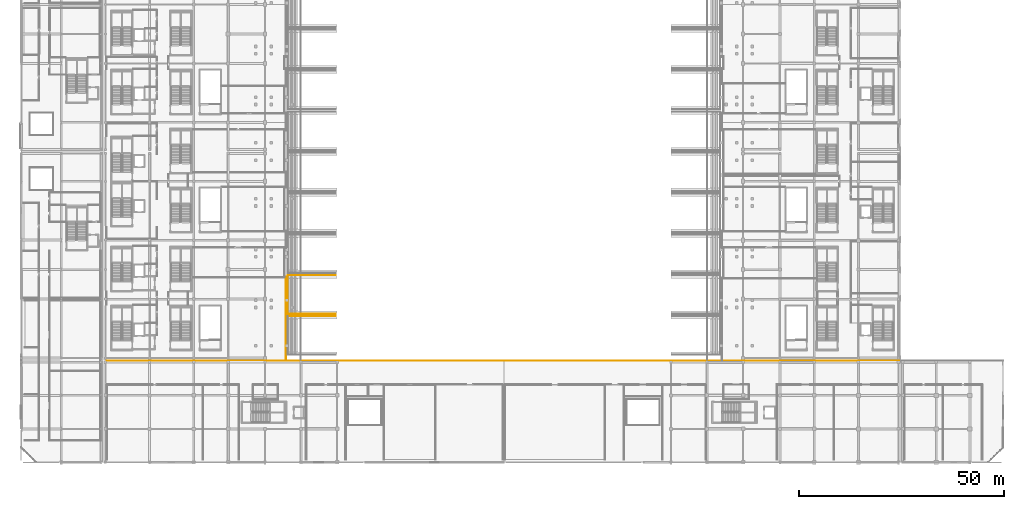
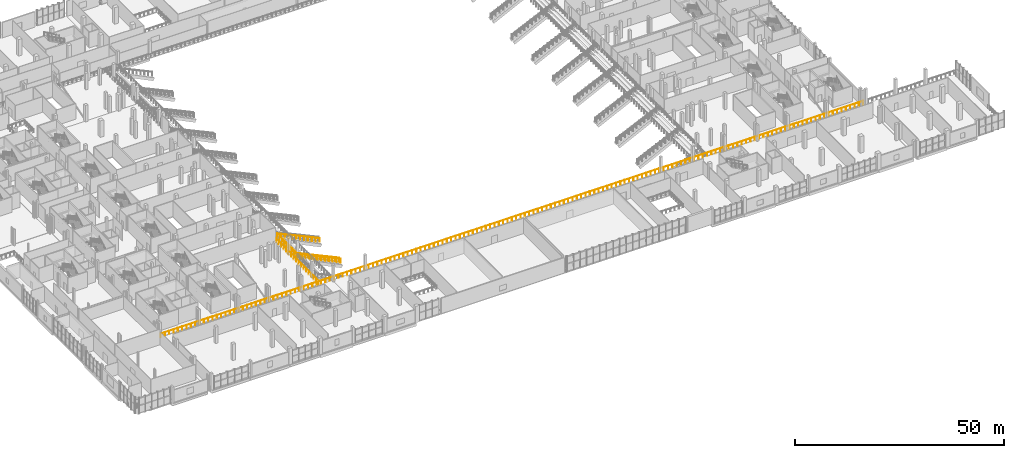
# One storey, part 101 of 129: 6 railings.
"""IFC4 building model written with IfcOpenShell, lengths in metres."""

from ifc_helpers import new_model, si_unit, direction, frame, origin, origin_2d, place, context, subcontext, project, spatial, circle, extrude, material, type_object, element, save


model = new_model("IFC4")

# Units and contexts
model_context = context("Model", 3, precision=1e-05, world=origin(), true_north=direction((0.0, 1.0)))
body_context = subcontext(model_context, "Body", "Model", "MODEL_VIEW")
ifc_project = project(units=[si_unit("LENGTHUNIT", "METRE"), si_unit("AREAUNIT", "SQUARE_METRE"), si_unit("VOLUMEUNIT", "CUBIC_METRE"), si_unit("PLANEANGLEUNIT", "RADIAN"), si_unit("MASSUNIT", "GRAM", prefix="KILO")], contexts=[model_context])

# Site, building, storey
site_placement = place(None, origin())
site = spatial("IfcSite", under=ifc_project, at=site_placement, CompositionType="ELEMENT")
building_placement = place(site_placement, origin())
building = spatial("IfcBuilding", under=site, at=building_placement, Name="Koshinbarg Plaza Stadium", CompositionType="ELEMENT")
storey_placement = place(building_placement, frame((0.0, 0.0, 5.39990234375)))
storey = spatial("IfcBuildingStorey", under=building, at=storey_placement, Name="L01", CompositionType="ELEMENT", Elevation=5.39990234375)

# Railings
ifc_material_1 = material(Name="Toughened laminated glass and stainless steel sightline balustrade", Category="steel")
railing_type_1 = type_object("IfcRailingType", Name="RL-BOWL-1100", PredefinedType="BALUSTRADE", material=ifc_material_1)
railing_1_placement = place(storey_placement, frame((25.0, 24.8798828125, 0.0)))
element("IfcRailing", 1, at=railing_1_placement, inside=storey, type_object=railing_type_1, Name="L01 bowl concourse sightline balustrade 0019", PredefinedType="BALUSTRADE", context=body_context, shape_type="SweptSolid", body=[
    extrude(circle(Radius=0.02392578125, at=origin_2d()), frame((0.0, 0.0, 1.076171875), z_axis=(1.0, 0.0, 0.0), x_axis=(0.0, 1.0, 0.0)), (0.0, 0.0, 1.0), 193.89990234375),
    extrude(circle(Radius=0.02099609375, at=origin_2d()), origin(), (0.0, 0.0, 1.0), 1.052001953125),
    extrude(circle(Radius=0.02099609375, at=origin_2d()), frame((1.197021484375, 0.0, 0.0)), (0.0, 0.0, 1.0), 1.052001953125),
    extrude(circle(Radius=0.02099609375, at=origin_2d()), frame((2.393798828125, 0.0, 0.0)), (0.0, 0.0, 1.0), 1.052001953125),
    extrude(circle(Radius=0.02099609375, at=origin_2d()), frame((3.5908203125, 0.0, 0.0)), (0.0, 0.0, 1.0), 1.052001953125),
    extrude(circle(Radius=0.02099609375, at=origin_2d()), frame((4.78759765625, 0.0, 0.0)), (0.0, 0.0, 1.0), 1.052001953125),
    extrude(circle(Radius=0.02099609375, at=origin_2d()), frame((5.984619140625, 0.0, 0.0)), (0.0, 0.0, 1.0), 1.052001953125),
    extrude(circle(Radius=0.02099609375, at=origin_2d()), frame((7.181396484375, 0.0, 0.0)), (0.0, 0.0, 1.0), 1.052001953125),
    extrude(circle(Radius=0.02099609375, at=origin_2d()), frame((8.37841796875, 0.0, 0.0)), (0.0, 0.0, 1.0), 1.052001953125),
    extrude(circle(Radius=0.02099609375, at=origin_2d()), frame((9.5751953125, 0.0, 0.0)), (0.0, 0.0, 1.0), 1.052001953125),
    extrude(circle(Radius=0.02099609375, at=origin_2d()), frame((10.772216796875, 0.0, 0.0)), (0.0, 0.0, 1.0), 1.052001953125),
    extrude(circle(Radius=0.02099609375, at=origin_2d()), frame((11.96923828125, 0.0, 0.0)), (0.0, 0.0, 1.0), 1.052001953125),
    extrude(circle(Radius=0.02099609375, at=origin_2d()), frame((13.166015625, 0.0, 0.0)), (0.0, 0.0, 1.0), 1.052001953125),
    extrude(circle(Radius=0.02099609375, at=origin_2d()), frame((14.363037109375, 0.0, 0.0)), (0.0, 0.0, 1.0), 1.052001953125),
    extrude(circle(Radius=0.02099609375, at=origin_2d()), frame((15.559814453125, 0.0, 0.0)), (0.0, 0.0, 1.0), 1.052001953125),
    extrude(circle(Radius=0.02099609375, at=origin_2d()), frame((16.7568359375, 0.0, 0.0)), (0.0, 0.0, 1.0), 1.052001953125),
    extrude(circle(Radius=0.02099609375, at=origin_2d()), frame((17.95361328125, 0.0, 0.0)), (0.0, 0.0, 1.0), 1.052001953125),
    extrude(circle(Radius=0.02099609375, at=origin_2d()), frame((19.150634765625, 0.0, 0.0)), (0.0, 0.0, 1.0), 1.052001953125),
    extrude(circle(Radius=0.02099609375, at=origin_2d()), frame((20.347412109375, 0.0, 0.0)), (0.0, 0.0, 1.0), 1.052001953125),
    extrude(circle(Radius=0.02099609375, at=origin_2d()), frame((21.54443359375, 0.0, 0.0)), (0.0, 0.0, 1.0), 1.052001953125),
    extrude(circle(Radius=0.02099609375, at=origin_2d()), frame((22.741455078125, 0.0, 0.0)), (0.0, 0.0, 1.0), 1.052001953125),
    extrude(circle(Radius=0.02099609375, at=origin_2d()), frame((23.938232421875, 0.0, 0.0)), (0.0, 0.0, 1.0), 1.052001953125),
    extrude(circle(Radius=0.02099609375, at=origin_2d()), frame((25.13525390625, 0.0, 0.0)), (0.0, 0.0, 1.0), 1.052001953125),
    extrude(circle(Radius=0.02099609375, at=origin_2d()), frame((26.33203125, 0.0, 0.0)), (0.0, 0.0, 1.0), 1.052001953125),
    extrude(circle(Radius=0.02099609375, at=origin_2d()), frame((27.529052734375, 0.0, 0.0)), (0.0, 0.0, 1.0), 1.052001953125),
    extrude(circle(Radius=0.02099609375, at=origin_2d()), frame((28.725830078125, 0.0, 0.0)), (0.0, 0.0, 1.0), 1.052001953125),
    extrude(circle(Radius=0.02099609375, at=origin_2d()), frame((29.9228515625, 0.0, 0.0)), (0.0, 0.0, 1.0), 1.052001953125),
    extrude(circle(Radius=0.02099609375, at=origin_2d()), frame((31.11962890625, 0.0, 0.0)), (0.0, 0.0, 1.0), 1.052001953125),
    extrude(circle(Radius=0.02099609375, at=origin_2d()), frame((32.316650390625, 0.0, 0.0)), (0.0, 0.0, 1.0), 1.052001953125),
    extrude(circle(Radius=0.02099609375, at=origin_2d()), frame((33.513671875, 0.0, 0.0)), (0.0, 0.0, 1.0), 1.052001953125),
    extrude(circle(Radius=0.02099609375, at=origin_2d()), frame((34.71044921875, 0.0, 0.0)), (0.0, 0.0, 1.0), 1.052001953125),
    extrude(circle(Radius=0.02099609375, at=origin_2d()), frame((35.907470703125, 0.0, 0.0)), (0.0, 0.0, 1.0), 1.052001953125),
    extrude(circle(Radius=0.02099609375, at=origin_2d()), frame((37.104248046875, 0.0, 0.0)), (0.0, 0.0, 1.0), 1.052001953125),
    extrude(circle(Radius=0.02099609375, at=origin_2d()), frame((38.30126953125, 0.0, 0.0)), (0.0, 0.0, 1.0), 1.052001953125),
    extrude(circle(Radius=0.02099609375, at=origin_2d()), frame((39.498046875, 0.0, 0.0)), (0.0, 0.0, 1.0), 1.052001953125),
    extrude(circle(Radius=0.02099609375, at=origin_2d()), frame((40.695068359375, 0.0, 0.0)), (0.0, 0.0, 1.0), 1.052001953125),
    extrude(circle(Radius=0.02099609375, at=origin_2d()), frame((41.891845703125, 0.0, 0.0)), (0.0, 0.0, 1.0), 1.052001953125),
    extrude(circle(Radius=0.02099609375, at=origin_2d()), frame((43.0888671875, 0.0, 0.0)), (0.0, 0.0, 1.0), 1.052001953125),
    extrude(circle(Radius=0.02099609375, at=origin_2d()), frame((44.285888671875, 0.0, 0.0)), (0.0, 0.0, 1.0), 1.052001953125),
    extrude(circle(Radius=0.02099609375, at=origin_2d()), frame((45.482666015625, 0.0, 0.0)), (0.0, 0.0, 1.0), 1.052001953125),
    extrude(circle(Radius=0.02099609375, at=origin_2d()), frame((46.6796875, 0.0, 0.0)), (0.0, 0.0, 1.0), 1.052001953125),
    extrude(circle(Radius=0.02099609375, at=origin_2d()), frame((47.87646484375, 0.0, 0.0)), (0.0, 0.0, 1.0), 1.052001953125),
    extrude(circle(Radius=0.02099609375, at=origin_2d()), frame((49.073486328125, 0.0, 0.0)), (0.0, 0.0, 1.0), 1.052001953125),
    extrude(circle(Radius=0.02099609375, at=origin_2d()), frame((50.270263671875, 0.0, 0.0)), (0.0, 0.0, 1.0), 1.052001953125),
    extrude(circle(Radius=0.02099609375, at=origin_2d()), frame((51.46728515625, 0.0, 0.0)), (0.0, 0.0, 1.0), 1.052001953125),
    extrude(circle(Radius=0.02099609375, at=origin_2d()), frame((52.6640625, 0.0, 0.0)), (0.0, 0.0, 1.0), 1.052001953125),
    extrude(circle(Radius=0.02099609375, at=origin_2d()), frame((53.861083984375, 0.0, 0.0)), (0.0, 0.0, 1.0), 1.052001953125),
    extrude(circle(Radius=0.02099609375, at=origin_2d()), frame((55.05810546875, 0.0, 0.0)), (0.0, 0.0, 1.0), 1.052001953125),
    extrude(circle(Radius=0.02099609375, at=origin_2d()), frame((56.2548828125, 0.0, 0.0)), (0.0, 0.0, 1.0), 1.052001953125),
    extrude(circle(Radius=0.02099609375, at=origin_2d()), frame((57.451904296875, 0.0, 0.0)), (0.0, 0.0, 1.0), 1.052001953125),
    extrude(circle(Radius=0.02099609375, at=origin_2d()), frame((58.648681640625, 0.0, 0.0)), (0.0, 0.0, 1.0), 1.052001953125),
    extrude(circle(Radius=0.02099609375, at=origin_2d()), frame((59.845703125, 0.0, 0.0)), (0.0, 0.0, 1.0), 1.052001953125),
    extrude(circle(Radius=0.02099609375, at=origin_2d()), frame((61.04248046875, 0.0, 0.0)), (0.0, 0.0, 1.0), 1.052001953125),
    extrude(circle(Radius=0.02099609375, at=origin_2d()), frame((62.239501953125, 0.0, 0.0)), (0.0, 0.0, 1.0), 1.052001953125),
    extrude(circle(Radius=0.02099609375, at=origin_2d()), frame((63.436279296875, 0.0, 0.0)), (0.0, 0.0, 1.0), 1.052001953125),
    extrude(circle(Radius=0.02099609375, at=origin_2d()), frame((64.63330078125, 0.0, 0.0)), (0.0, 0.0, 1.0), 1.052001953125),
    extrude(circle(Radius=0.02099609375, at=origin_2d()), frame((65.830322265625, 0.0, 0.0)), (0.0, 0.0, 1.0), 1.052001953125),
    extrude(circle(Radius=0.02099609375, at=origin_2d()), frame((67.027099609375, 0.0, 0.0)), (0.0, 0.0, 1.0), 1.052001953125),
    extrude(circle(Radius=0.02099609375, at=origin_2d()), frame((68.22412109375, 0.0, 0.0)), (0.0, 0.0, 1.0), 1.052001953125),
    extrude(circle(Radius=0.02099609375, at=origin_2d()), frame((69.4208984375, 0.0, 0.0)), (0.0, 0.0, 1.0), 1.052001953125),
    extrude(circle(Radius=0.02099609375, at=origin_2d()), frame((70.617919921875, 0.0, 0.0)), (0.0, 0.0, 1.0), 1.052001953125),
    extrude(circle(Radius=0.02099609375, at=origin_2d()), frame((71.814697265625, 0.0, 0.0)), (0.0, 0.0, 1.0), 1.052001953125),
    extrude(circle(Radius=0.02099609375, at=origin_2d()), frame((73.01171875, 0.0, 0.0)), (0.0, 0.0, 1.0), 1.052001953125),
    extrude(circle(Radius=0.02099609375, at=origin_2d()), frame((74.20849609375, 0.0, 0.0)), (0.0, 0.0, 1.0), 1.052001953125),
    extrude(circle(Radius=0.02099609375, at=origin_2d()), frame((75.405517578125, 0.0, 0.0)), (0.0, 0.0, 1.0), 1.052001953125),
    extrude(circle(Radius=0.02099609375, at=origin_2d()), frame((76.6025390625, 0.0, 0.0)), (0.0, 0.0, 1.0), 1.052001953125),
    extrude(circle(Radius=0.02099609375, at=origin_2d()), frame((77.79931640625, 0.0, 0.0)), (0.0, 0.0, 1.0), 1.052001953125),
    extrude(circle(Radius=0.02099609375, at=origin_2d()), frame((78.996337890625, 0.0, 0.0)), (0.0, 0.0, 1.0), 1.052001953125),
    extrude(circle(Radius=0.02099609375, at=origin_2d()), frame((80.193115234375, 0.0, 0.0)), (0.0, 0.0, 1.0), 1.052001953125),
    extrude(circle(Radius=0.02099609375, at=origin_2d()), frame((81.39013671875, 0.0, 0.0)), (0.0, 0.0, 1.0), 1.052001953125),
    extrude(circle(Radius=0.02099609375, at=origin_2d()), frame((82.5869140625, 0.0, 0.0)), (0.0, 0.0, 1.0), 1.052001953125),
    extrude(circle(Radius=0.02099609375, at=origin_2d()), frame((83.783935546875, 0.0, 0.0)), (0.0, 0.0, 1.0), 1.052001953125),
    extrude(circle(Radius=0.02099609375, at=origin_2d()), frame((84.980712890625, 0.0, 0.0)), (0.0, 0.0, 1.0), 1.052001953125),
    extrude(circle(Radius=0.02099609375, at=origin_2d()), frame((86.177734375, 0.0, 0.0)), (0.0, 0.0, 1.0), 1.052001953125),
    extrude(circle(Radius=0.02099609375, at=origin_2d()), frame((87.374755859375, 0.0, 0.0)), (0.0, 0.0, 1.0), 1.052001953125),
    extrude(circle(Radius=0.02099609375, at=origin_2d()), frame((88.571533203125, 0.0, 0.0)), (0.0, 0.0, 1.0), 1.052001953125),
    extrude(circle(Radius=0.02099609375, at=origin_2d()), frame((89.7685546875, 0.0, 0.0)), (0.0, 0.0, 1.0), 1.052001953125),
    extrude(circle(Radius=0.02099609375, at=origin_2d()), frame((90.96533203125, 0.0, 0.0)), (0.0, 0.0, 1.0), 1.052001953125),
    extrude(circle(Radius=0.02099609375, at=origin_2d()), frame((92.162353515625, 0.0, 0.0)), (0.0, 0.0, 1.0), 1.052001953125),
    extrude(circle(Radius=0.02099609375, at=origin_2d()), frame((93.359130859375, 0.0, 0.0)), (0.0, 0.0, 1.0), 1.052001953125),
    extrude(circle(Radius=0.02099609375, at=origin_2d()), frame((94.55615234375, 0.0, 0.0)), (0.0, 0.0, 1.0), 1.052001953125),
    extrude(circle(Radius=0.02099609375, at=origin_2d()), frame((95.7529296875, 0.0, 0.0)), (0.0, 0.0, 1.0), 1.052001953125),
    extrude(circle(Radius=0.02099609375, at=origin_2d()), frame((96.949951171875, 0.0, 0.0)), (0.0, 0.0, 1.0), 1.052001953125),
    extrude(circle(Radius=0.02099609375, at=origin_2d()), frame((98.14697265625, 0.0, 0.0)), (0.0, 0.0, 1.0), 1.052001953125),
    extrude(circle(Radius=0.02099609375, at=origin_2d()), frame((99.34375, 0.0, 0.0)), (0.0, 0.0, 1.0), 1.052001953125),
    extrude(circle(Radius=0.02099609375, at=origin_2d()), frame((100.540771484375, 0.0, 0.0)), (0.0, 0.0, 1.0), 1.052001953125),
    extrude(circle(Radius=0.02099609375, at=origin_2d()), frame((101.737548828125, 0.0, 0.0)), (0.0, 0.0, 1.0), 1.052001953125),
    extrude(circle(Radius=0.02099609375, at=origin_2d()), frame((102.9345703125, 0.0, 0.0)), (0.0, 0.0, 1.0), 1.052001953125),
    extrude(circle(Radius=0.02099609375, at=origin_2d()), frame((104.13134765625, 0.0, 0.0)), (0.0, 0.0, 1.0), 1.052001953125),
    extrude(circle(Radius=0.02099609375, at=origin_2d()), frame((105.328369140625, 0.0, 0.0)), (0.0, 0.0, 1.0), 1.052001953125),
    extrude(circle(Radius=0.02099609375, at=origin_2d()), frame((106.525146484375, 0.0, 0.0)), (0.0, 0.0, 1.0), 1.052001953125),
    extrude(circle(Radius=0.02099609375, at=origin_2d()), frame((107.72216796875, 0.0, 0.0)), (0.0, 0.0, 1.0), 1.052001953125),
    extrude(circle(Radius=0.02099609375, at=origin_2d()), frame((108.919189453125, 0.0, 0.0)), (0.0, 0.0, 1.0), 1.052001953125),
    extrude(circle(Radius=0.02099609375, at=origin_2d()), frame((110.115966796875, 0.0, 0.0)), (0.0, 0.0, 1.0), 1.052001953125),
    extrude(circle(Radius=0.02099609375, at=origin_2d()), frame((111.31298828125, 0.0, 0.0)), (0.0, 0.0, 1.0), 1.052001953125),
    extrude(circle(Radius=0.02099609375, at=origin_2d()), frame((112.509765625, 0.0, 0.0)), (0.0, 0.0, 1.0), 1.052001953125),
    extrude(circle(Radius=0.02099609375, at=origin_2d()), frame((113.706787109375, 0.0, 0.0)), (0.0, 0.0, 1.0), 1.052001953125),
    extrude(circle(Radius=0.02099609375, at=origin_2d()), frame((114.903564453125, 0.0, 0.0)), (0.0, 0.0, 1.0), 1.052001953125),
    extrude(circle(Radius=0.02099609375, at=origin_2d()), frame((116.1005859375, 0.0, 0.0)), (0.0, 0.0, 1.0), 1.052001953125),
    extrude(circle(Radius=0.02099609375, at=origin_2d()), frame((117.29736328125, 0.0, 0.0)), (0.0, 0.0, 1.0), 1.052001953125),
    extrude(circle(Radius=0.02099609375, at=origin_2d()), frame((118.494384765625, 0.0, 0.0)), (0.0, 0.0, 1.0), 1.052001953125),
    extrude(circle(Radius=0.02099609375, at=origin_2d()), frame((119.69140625, 0.0, 0.0)), (0.0, 0.0, 1.0), 1.052001953125),
    extrude(circle(Radius=0.02099609375, at=origin_2d()), frame((120.88818359375, 0.0, 0.0)), (0.0, 0.0, 1.0), 1.052001953125),
    extrude(circle(Radius=0.02099609375, at=origin_2d()), frame((122.085205078125, 0.0, 0.0)), (0.0, 0.0, 1.0), 1.052001953125),
    extrude(circle(Radius=0.02099609375, at=origin_2d()), frame((123.281982421875, 0.0, 0.0)), (0.0, 0.0, 1.0), 1.052001953125),
    extrude(circle(Radius=0.02099609375, at=origin_2d()), frame((124.47900390625, 0.0, 0.0)), (0.0, 0.0, 1.0), 1.052001953125),
    extrude(circle(Radius=0.02099609375, at=origin_2d()), frame((125.67578125, 0.0, 0.0)), (0.0, 0.0, 1.0), 1.052001953125),
    extrude(circle(Radius=0.02099609375, at=origin_2d()), frame((126.872802734375, 0.0, 0.0)), (0.0, 0.0, 1.0), 1.052001953125),
    extrude(circle(Radius=0.02099609375, at=origin_2d()), frame((128.069580078125, 0.0, 0.0)), (0.0, 0.0, 1.0), 1.052001953125),
    extrude(circle(Radius=0.02099609375, at=origin_2d()), frame((129.2666015625, 0.0, 0.0)), (0.0, 0.0, 1.0), 1.052001953125),
    extrude(circle(Radius=0.02099609375, at=origin_2d()), frame((130.463623046875, 0.0, 0.0)), (0.0, 0.0, 1.0), 1.052001953125),
    extrude(circle(Radius=0.02099609375, at=origin_2d()), frame((131.660400390625, 0.0, 0.0)), (0.0, 0.0, 1.0), 1.052001953125),
    extrude(circle(Radius=0.02099609375, at=origin_2d()), frame((132.857421875, 0.0, 0.0)), (0.0, 0.0, 1.0), 1.052001953125),
    extrude(circle(Radius=0.02099609375, at=origin_2d()), frame((134.05419921875, 0.0, 0.0)), (0.0, 0.0, 1.0), 1.052001953125),
    extrude(circle(Radius=0.02099609375, at=origin_2d()), frame((135.251220703125, 0.0, 0.0)), (0.0, 0.0, 1.0), 1.052001953125),
    extrude(circle(Radius=0.02099609375, at=origin_2d()), frame((136.447998046875, 0.0, 0.0)), (0.0, 0.0, 1.0), 1.052001953125),
    extrude(circle(Radius=0.02099609375, at=origin_2d()), frame((137.64501953125, 0.0, 0.0)), (0.0, 0.0, 1.0), 1.052001953125),
    extrude(circle(Radius=0.02099609375, at=origin_2d()), frame((138.841796875, 0.0, 0.0)), (0.0, 0.0, 1.0), 1.052001953125),
    extrude(circle(Radius=0.02099609375, at=origin_2d()), frame((140.038818359375, 0.0, 0.0)), (0.0, 0.0, 1.0), 1.052001953125),
    extrude(circle(Radius=0.02099609375, at=origin_2d()), frame((141.23583984375, 0.0, 0.0)), (0.0, 0.0, 1.0), 1.052001953125),
    extrude(circle(Radius=0.02099609375, at=origin_2d()), frame((142.4326171875, 0.0, 0.0)), (0.0, 0.0, 1.0), 1.052001953125),
    extrude(circle(Radius=0.02099609375, at=origin_2d()), frame((143.629638671875, 0.0, 0.0)), (0.0, 0.0, 1.0), 1.052001953125),
    extrude(circle(Radius=0.02099609375, at=origin_2d()), frame((144.826416015625, 0.0, 0.0)), (0.0, 0.0, 1.0), 1.052001953125),
    extrude(circle(Radius=0.02099609375, at=origin_2d()), frame((146.0234375, 0.0, 0.0)), (0.0, 0.0, 1.0), 1.052001953125),
    extrude(circle(Radius=0.02099609375, at=origin_2d()), frame((147.22021484375, 0.0, 0.0)), (0.0, 0.0, 1.0), 1.052001953125),
    extrude(circle(Radius=0.02099609375, at=origin_2d()), frame((148.417236328125, 0.0, 0.0)), (0.0, 0.0, 1.0), 1.052001953125),
    extrude(circle(Radius=0.02099609375, at=origin_2d()), frame((149.614013671875, 0.0, 0.0)), (0.0, 0.0, 1.0), 1.052001953125),
    extrude(circle(Radius=0.02099609375, at=origin_2d()), frame((150.81103515625, 0.0, 0.0)), (0.0, 0.0, 1.0), 1.052001953125),
    extrude(circle(Radius=0.02099609375, at=origin_2d()), frame((152.008056640625, 0.0, 0.0)), (0.0, 0.0, 1.0), 1.052001953125),
    extrude(circle(Radius=0.02099609375, at=origin_2d()), frame((153.204833984375, 0.0, 0.0)), (0.0, 0.0, 1.0), 1.052001953125),
    extrude(circle(Radius=0.02099609375, at=origin_2d()), frame((154.40185546875, 0.0, 0.0)), (0.0, 0.0, 1.0), 1.052001953125),
    extrude(circle(Radius=0.02099609375, at=origin_2d()), frame((155.5986328125, 0.0, 0.0)), (0.0, 0.0, 1.0), 1.052001953125),
    extrude(circle(Radius=0.02099609375, at=origin_2d()), frame((156.795654296875, 0.0, 0.0)), (0.0, 0.0, 1.0), 1.052001953125),
    extrude(circle(Radius=0.02099609375, at=origin_2d()), frame((157.992431640625, 0.0, 0.0)), (0.0, 0.0, 1.0), 1.052001953125),
    extrude(circle(Radius=0.02099609375, at=origin_2d()), frame((159.189453125, 0.0, 0.0)), (0.0, 0.0, 1.0), 1.052001953125),
    extrude(circle(Radius=0.02099609375, at=origin_2d()), frame((160.38623046875, 0.0, 0.0)), (0.0, 0.0, 1.0), 1.052001953125),
    extrude(circle(Radius=0.02099609375, at=origin_2d()), frame((161.583251953125, 0.0, 0.0)), (0.0, 0.0, 1.0), 1.052001953125),
    extrude(circle(Radius=0.02099609375, at=origin_2d()), frame((162.7802734375, 0.0, 0.0)), (0.0, 0.0, 1.0), 1.052001953125),
    extrude(circle(Radius=0.02099609375, at=origin_2d()), frame((163.97705078125, 0.0, 0.0)), (0.0, 0.0, 1.0), 1.052001953125),
    extrude(circle(Radius=0.02099609375, at=origin_2d()), frame((165.174072265625, 0.0, 0.0)), (0.0, 0.0, 1.0), 1.052001953125),
    extrude(circle(Radius=0.02099609375, at=origin_2d()), frame((166.370849609375, 0.0, 0.0)), (0.0, 0.0, 1.0), 1.052001953125),
    extrude(circle(Radius=0.02099609375, at=origin_2d()), frame((167.56787109375, 0.0, 0.0)), (0.0, 0.0, 1.0), 1.052001953125),
    extrude(circle(Radius=0.02099609375, at=origin_2d()), frame((168.7646484375, 0.0, 0.0)), (0.0, 0.0, 1.0), 1.052001953125),
    extrude(circle(Radius=0.02099609375, at=origin_2d()), frame((169.961669921875, 0.0, 0.0)), (0.0, 0.0, 1.0), 1.052001953125),
    extrude(circle(Radius=0.02099609375, at=origin_2d()), frame((171.158447265625, 0.0, 0.0)), (0.0, 0.0, 1.0), 1.052001953125),
    extrude(circle(Radius=0.02099609375, at=origin_2d()), frame((172.35546875, 0.0, 0.0)), (0.0, 0.0, 1.0), 1.052001953125),
    extrude(circle(Radius=0.02099609375, at=origin_2d()), frame((173.552490234375, 0.0, 0.0)), (0.0, 0.0, 1.0), 1.052001953125),
    extrude(circle(Radius=0.02099609375, at=origin_2d()), frame((174.749267578125, 0.0, 0.0)), (0.0, 0.0, 1.0), 1.052001953125),
    extrude(circle(Radius=0.02099609375, at=origin_2d()), frame((175.9462890625, 0.0, 0.0)), (0.0, 0.0, 1.0), 1.052001953125),
    extrude(circle(Radius=0.02099609375, at=origin_2d()), frame((177.14306640625, 0.0, 0.0)), (0.0, 0.0, 1.0), 1.052001953125),
    extrude(circle(Radius=0.02099609375, at=origin_2d()), frame((178.340087890625, 0.0, 0.0)), (0.0, 0.0, 1.0), 1.052001953125),
    extrude(circle(Radius=0.02099609375, at=origin_2d()), frame((179.536865234375, 0.0, 0.0)), (0.0, 0.0, 1.0), 1.052001953125),
    extrude(circle(Radius=0.02099609375, at=origin_2d()), frame((180.73388671875, 0.0, 0.0)), (0.0, 0.0, 1.0), 1.052001953125),
    extrude(circle(Radius=0.02099609375, at=origin_2d()), frame((181.9306640625, 0.0, 0.0)), (0.0, 0.0, 1.0), 1.052001953125),
    extrude(circle(Radius=0.02099609375, at=origin_2d()), frame((183.127685546875, 0.0, 0.0)), (0.0, 0.0, 1.0), 1.052001953125),
    extrude(circle(Radius=0.02099609375, at=origin_2d()), frame((184.32470703125, 0.0, 0.0)), (0.0, 0.0, 1.0), 1.052001953125),
    extrude(circle(Radius=0.02099609375, at=origin_2d()), frame((185.521484375, 0.0, 0.0)), (0.0, 0.0, 1.0), 1.052001953125),
    extrude(circle(Radius=0.02099609375, at=origin_2d()), frame((186.718505859375, 0.0, 0.0)), (0.0, 0.0, 1.0), 1.052001953125),
    extrude(circle(Radius=0.02099609375, at=origin_2d()), frame((187.915283203125, 0.0, 0.0)), (0.0, 0.0, 1.0), 1.052001953125),
    extrude(circle(Radius=0.02099609375, at=origin_2d()), frame((189.1123046875, 0.0, 0.0)), (0.0, 0.0, 1.0), 1.052001953125),
    extrude(circle(Radius=0.02099609375, at=origin_2d()), frame((190.30908203125, 0.0, 0.0)), (0.0, 0.0, 1.0), 1.052001953125),
    extrude(circle(Radius=0.02099609375, at=origin_2d()), frame((191.506103515625, 0.0, 0.0)), (0.0, 0.0, 1.0), 1.052001953125),
    extrude(circle(Radius=0.02099609375, at=origin_2d()), frame((192.702880859375, 0.0, 0.0)), (0.0, 0.0, 1.0), 1.052001953125),
    extrude(circle(Radius=0.02099609375, at=origin_2d()), frame((193.89990234375, 0.0, 0.0)), (0.0, 0.0, 1.0), 1.052001953125),
])
railing_2_placement = place(storey_placement, frame((68.719970703125, 45.39501953125, 0.0)))
element("IfcRailing", 2, at=railing_2_placement, inside=storey, type_object=railing_type_1, Name="L01 deck edge safety balustrade 0002", PredefinedType="BALUSTRADE", context=body_context, shape_type="SweptSolid", body=[
    extrude(circle(Radius=0.02392578125, at=origin_2d()), frame((0.0, 0.0, 1.076171875), z_axis=(0.0, -1.0, 0.0), x_axis=(1.0, 0.0, 0.0)), (0.0, 0.0, 1.0), 20.35009765625),
    extrude(circle(Radius=0.02099609375, at=origin_2d()), origin(), (0.0, 0.0, 1.0), 1.052001953125),
    extrude(circle(Radius=0.02099609375, at=origin_2d()), frame((0.0, -1.197021484375, 0.0)), (0.0, 0.0, 1.0), 1.052001953125),
    extrude(circle(Radius=0.02099609375, at=origin_2d()), frame((0.0, -2.39404296875, 0.0)), (0.0, 0.0, 1.0), 1.052001953125),
    extrude(circle(Radius=0.02099609375, at=origin_2d()), frame((0.0, -3.59130859375, 0.0)), (0.0, 0.0, 1.0), 1.052001953125),
    extrude(circle(Radius=0.02099609375, at=origin_2d()), frame((0.0, -4.788330078125, 0.0)), (0.0, 0.0, 1.0), 1.052001953125),
    extrude(circle(Radius=0.02099609375, at=origin_2d()), frame((0.0, -5.9853515625, 0.0)), (0.0, 0.0, 1.0), 1.052001953125),
    extrude(circle(Radius=0.02099609375, at=origin_2d()), frame((0.0, -7.182373046875, 0.0)), (0.0, 0.0, 1.0), 1.052001953125),
    extrude(circle(Radius=0.02099609375, at=origin_2d()), frame((0.0, -8.37939453125, 0.0)), (0.0, 0.0, 1.0), 1.052001953125),
    extrude(circle(Radius=0.02099609375, at=origin_2d()), frame((0.0, -9.576416015625, 0.0)), (0.0, 0.0, 1.0), 1.052001953125),
    extrude(circle(Radius=0.02099609375, at=origin_2d()), frame((0.0, -10.773681640625, 0.0)), (0.0, 0.0, 1.0), 1.052001953125),
    extrude(circle(Radius=0.02099609375, at=origin_2d()), frame((0.0, -11.970703125, 0.0)), (0.0, 0.0, 1.0), 1.052001953125),
    extrude(circle(Radius=0.02099609375, at=origin_2d()), frame((0.0, -13.167724609375, 0.0)), (0.0, 0.0, 1.0), 1.052001953125),
    extrude(circle(Radius=0.02099609375, at=origin_2d()), frame((0.0, -14.36474609375, 0.0)), (0.0, 0.0, 1.0), 1.052001953125),
    extrude(circle(Radius=0.02099609375, at=origin_2d()), frame((0.0, -15.561767578125, 0.0)), (0.0, 0.0, 1.0), 1.052001953125),
    extrude(circle(Radius=0.02099609375, at=origin_2d()), frame((0.0, -16.7587890625, 0.0)), (0.0, 0.0, 1.0), 1.052001953125),
    extrude(circle(Radius=0.02099609375, at=origin_2d()), frame((0.0, -17.9560546875, 0.0)), (0.0, 0.0, 1.0), 1.052001953125),
    extrude(circle(Radius=0.02099609375, at=origin_2d()), frame((0.0, -19.153076171875, 0.0)), (0.0, 0.0, 1.0), 1.052001953125),
    extrude(circle(Radius=0.02099609375, at=origin_2d()), frame((0.0, -20.35009765625, 0.0)), (0.0, 0.0, 1.0), 1.052001953125),
])
ifc_material_2 = material(Name="Galvanized painted steel guardrail", Category="steel")
railing_type_2 = type_object("IfcRailingType", Name="RL-GUARD-1100", PredefinedType="GUARDRAIL", material=ifc_material_2)
railing_3_placement = place(storey_placement, frame((80.89990234375, 35.719970703125, -4.3798828125)))
element("IfcRailing", 3, at=railing_3_placement, inside=storey, type_object=railing_type_2, Name="LT-W01 stepped aisle guard R", PredefinedType="GUARDRAIL", context=body_context, shape_type="SweptSolid", body=[
    extrude(circle(Radius=0.02392578125, at=origin_2d()), frame((0.0, 0.0, 1.076171875), z_axis=(-0.906183623075, 0.0, 0.422884430158), x_axis=(0.0, -1.0, 0.0)), (0.0, 0.0, 1.0), 12.9111328125),
    extrude(circle(Radius=0.02099609375, at=origin_2d()), origin(), (0.0, 0.0, 1.0), 1.052001953125),
    extrude(circle(Radius=0.02099609375, at=origin_2d()), frame((-1.063720703125, 0.0, 0.496337890625)), (0.0, 0.0, 1.0), 1.052001953125),
    extrude(circle(Radius=0.02099609375, at=origin_2d()), frame((-2.127197265625, 0.0, 0.99267578125)), (0.0, 0.0, 1.0), 1.052001953125),
    extrude(circle(Radius=0.02099609375, at=origin_2d()), frame((-3.19091796875, 0.0, 1.489013671875)), (0.0, 0.0, 1.0), 1.052001953125),
    extrude(circle(Radius=0.02099609375, at=origin_2d()), frame((-4.254638671875, 0.0, 1.9853515625)), (0.0, 0.0, 1.0), 1.052001953125),
    extrude(circle(Radius=0.02099609375, at=origin_2d()), frame((-5.318115234375, 0.0, 2.481689453125)), (0.0, 0.0, 1.0), 1.052001953125),
    extrude(circle(Radius=0.02099609375, at=origin_2d()), frame((-6.3818359375, 0.0, 2.978271484375)), (0.0, 0.0, 1.0), 1.052001953125),
    extrude(circle(Radius=0.02099609375, at=origin_2d()), frame((-7.4453125, 0.0, 3.474609375)), (0.0, 0.0, 1.0), 1.052001953125),
    extrude(circle(Radius=0.02099609375, at=origin_2d()), frame((-8.509033203125, 0.0, 3.970947265625)), (0.0, 0.0, 1.0), 1.052001953125),
    extrude(circle(Radius=0.02099609375, at=origin_2d()), frame((-9.57275390625, 0.0, 4.46728515625)), (0.0, 0.0, 1.0), 1.052001953125),
    extrude(circle(Radius=0.02099609375, at=origin_2d()), frame((-10.63623046875, 0.0, 4.963623046875)), (0.0, 0.0, 1.0), 1.052001953125),
    extrude(circle(Radius=0.02099609375, at=origin_2d()), frame((-11.699951171875, 0.0, 5.4599609375)), (0.0, 0.0, 1.0), 1.052001953125),
])
railing_4_placement = place(storey_placement, frame((69.179931640625, 36.280029296875, 1.080078125)))
element("IfcRailing", 4, at=railing_4_placement, inside=storey, type_object=railing_type_2, Name="LT-W02 rear stand guard", PredefinedType="GUARDRAIL", context=body_context, shape_type="SweptSolid", body=[
    extrude(circle(Radius=0.02392578125, at=origin_2d()), frame((0.0, 0.0, 1.076171875), z_axis=(0.0, 1.0, 0.0), x_axis=(-1.0, 0.0, 0.0)), (0.0, 0.0, 1.0), 9.43994140625),
    extrude(circle(Radius=0.02099609375, at=origin_2d()), origin(), (0.0, 0.0, 1.0), 1.052001953125),
    extrude(circle(Radius=0.02099609375, at=origin_2d()), frame((0.0, 1.179931640625, 0.0)), (0.0, 0.0, 1.0), 1.052001953125),
    extrude(circle(Radius=0.02099609375, at=origin_2d()), frame((0.0, 2.35986328125, 0.0)), (0.0, 0.0, 1.0), 1.052001953125),
    extrude(circle(Radius=0.02099609375, at=origin_2d()), frame((0.0, 3.5400390625, 0.0)), (0.0, 0.0, 1.0), 1.052001953125),
    extrude(circle(Radius=0.02099609375, at=origin_2d()), frame((0.0, 4.719970703125, 0.0)), (0.0, 0.0, 1.0), 1.052001953125),
    extrude(circle(Radius=0.02099609375, at=origin_2d()), frame((0.0, 5.89990234375, 0.0)), (0.0, 0.0, 1.0), 1.052001953125),
    extrude(circle(Radius=0.02099609375, at=origin_2d()), frame((0.0, 7.080078125, 0.0)), (0.0, 0.0, 1.0), 1.052001953125),
    extrude(circle(Radius=0.02099609375, at=origin_2d()), frame((0.0, 8.260009765625, 0.0)), (0.0, 0.0, 1.0), 1.052001953125),
    extrude(circle(Radius=0.02099609375, at=origin_2d()), frame((0.0, 9.43994140625, 0.0)), (0.0, 0.0, 1.0), 1.052001953125),
])
railing_5_placement = place(storey_placement, frame((80.89990234375, 36.280029296875, -4.3798828125)))
element("IfcRailing", 5, at=railing_5_placement, inside=storey, type_object=railing_type_2, Name="LT-W02 stepped aisle guard L", PredefinedType="GUARDRAIL", context=body_context, shape_type="SweptSolid", body=[
    extrude(circle(Radius=0.02392578125, at=origin_2d()), frame((0.0, 0.0, 1.076171875), z_axis=(-0.906183623075, 0.0, 0.422884430158), x_axis=(0.0, -1.0, 0.0)), (0.0, 0.0, 1.0), 12.9111328125),
    extrude(circle(Radius=0.02099609375, at=origin_2d()), origin(), (0.0, 0.0, 1.0), 1.052001953125),
    extrude(circle(Radius=0.02099609375, at=origin_2d()), frame((-1.063720703125, 0.0, 0.496337890625)), (0.0, 0.0, 1.0), 1.052001953125),
    extrude(circle(Radius=0.02099609375, at=origin_2d()), frame((-2.127197265625, 0.0, 0.99267578125)), (0.0, 0.0, 1.0), 1.052001953125),
    extrude(circle(Radius=0.02099609375, at=origin_2d()), frame((-3.19091796875, 0.0, 1.489013671875)), (0.0, 0.0, 1.0), 1.052001953125),
    extrude(circle(Radius=0.02099609375, at=origin_2d()), frame((-4.254638671875, 0.0, 1.9853515625)), (0.0, 0.0, 1.0), 1.052001953125),
    extrude(circle(Radius=0.02099609375, at=origin_2d()), frame((-5.318115234375, 0.0, 2.481689453125)), (0.0, 0.0, 1.0), 1.052001953125),
    extrude(circle(Radius=0.02099609375, at=origin_2d()), frame((-6.3818359375, 0.0, 2.978271484375)), (0.0, 0.0, 1.0), 1.052001953125),
    extrude(circle(Radius=0.02099609375, at=origin_2d()), frame((-7.4453125, 0.0, 3.474609375)), (0.0, 0.0, 1.0), 1.052001953125),
    extrude(circle(Radius=0.02099609375, at=origin_2d()), frame((-8.509033203125, 0.0, 3.970947265625)), (0.0, 0.0, 1.0), 1.052001953125),
    extrude(circle(Radius=0.02099609375, at=origin_2d()), frame((-9.57275390625, 0.0, 4.46728515625)), (0.0, 0.0, 1.0), 1.052001953125),
    extrude(circle(Radius=0.02099609375, at=origin_2d()), frame((-10.63623046875, 0.0, 4.963623046875)), (0.0, 0.0, 1.0), 1.052001953125),
    extrude(circle(Radius=0.02099609375, at=origin_2d()), frame((-11.699951171875, 0.0, 5.4599609375)), (0.0, 0.0, 1.0), 1.052001953125),
])
railing_6_placement = place(storey_placement, frame((80.89990234375, 45.719970703125, -4.3798828125)))
element("IfcRailing", 6, at=railing_6_placement, inside=storey, type_object=railing_type_2, Name="LT-W02 stepped aisle guard R", PredefinedType="GUARDRAIL", context=body_context, shape_type="SweptSolid", body=[
    extrude(circle(Radius=0.02392578125, at=origin_2d()), frame((0.0, 0.0, 1.076171875), z_axis=(-0.906183623075, 0.0, 0.422884430158), x_axis=(0.0, -1.0, 0.0)), (0.0, 0.0, 1.0), 12.9111328125),
    extrude(circle(Radius=0.02099609375, at=origin_2d()), origin(), (0.0, 0.0, 1.0), 1.052001953125),
    extrude(circle(Radius=0.02099609375, at=origin_2d()), frame((-1.063720703125, 0.0, 0.496337890625)), (0.0, 0.0, 1.0), 1.052001953125),
    extrude(circle(Radius=0.02099609375, at=origin_2d()), frame((-2.127197265625, 0.0, 0.99267578125)), (0.0, 0.0, 1.0), 1.052001953125),
    extrude(circle(Radius=0.02099609375, at=origin_2d()), frame((-3.19091796875, 0.0, 1.489013671875)), (0.0, 0.0, 1.0), 1.052001953125),
    extrude(circle(Radius=0.02099609375, at=origin_2d()), frame((-4.254638671875, 0.0, 1.9853515625)), (0.0, 0.0, 1.0), 1.052001953125),
    extrude(circle(Radius=0.02099609375, at=origin_2d()), frame((-5.318115234375, 0.0, 2.481689453125)), (0.0, 0.0, 1.0), 1.052001953125),
    extrude(circle(Radius=0.02099609375, at=origin_2d()), frame((-6.3818359375, 0.0, 2.978271484375)), (0.0, 0.0, 1.0), 1.052001953125),
    extrude(circle(Radius=0.02099609375, at=origin_2d()), frame((-7.4453125, 0.0, 3.474609375)), (0.0, 0.0, 1.0), 1.052001953125),
    extrude(circle(Radius=0.02099609375, at=origin_2d()), frame((-8.509033203125, 0.0, 3.970947265625)), (0.0, 0.0, 1.0), 1.052001953125),
    extrude(circle(Radius=0.02099609375, at=origin_2d()), frame((-9.57275390625, 0.0, 4.46728515625)), (0.0, 0.0, 1.0), 1.052001953125),
    extrude(circle(Radius=0.02099609375, at=origin_2d()), frame((-10.63623046875, 0.0, 4.963623046875)), (0.0, 0.0, 1.0), 1.052001953125),
    extrude(circle(Radius=0.02099609375, at=origin_2d()), frame((-11.699951171875, 0.0, 5.4599609375)), (0.0, 0.0, 1.0), 1.052001953125),
])

save(model, "model.ifc")
